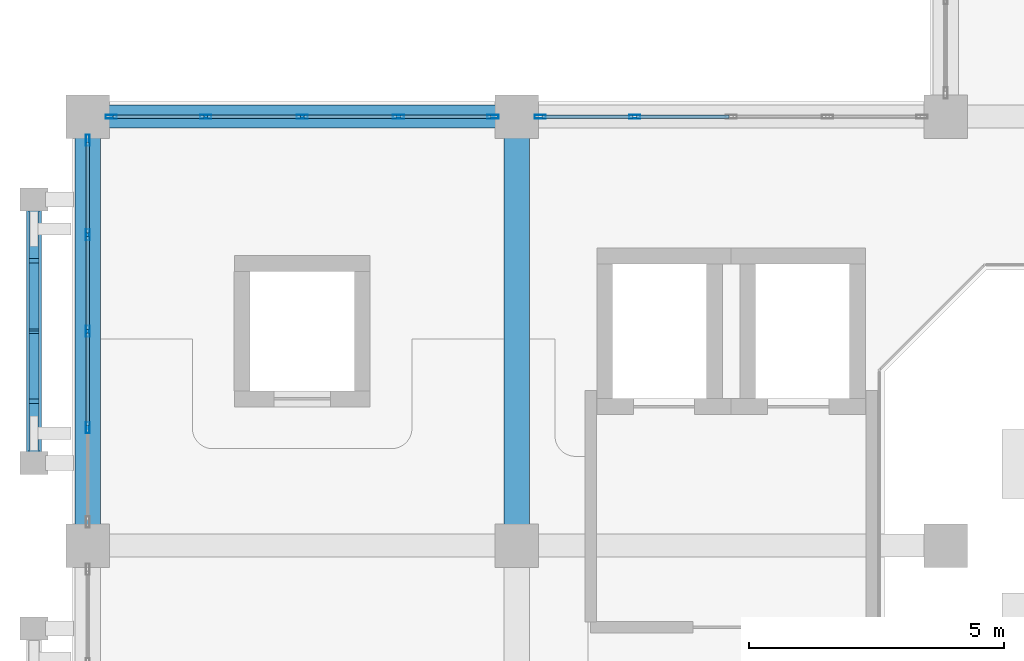
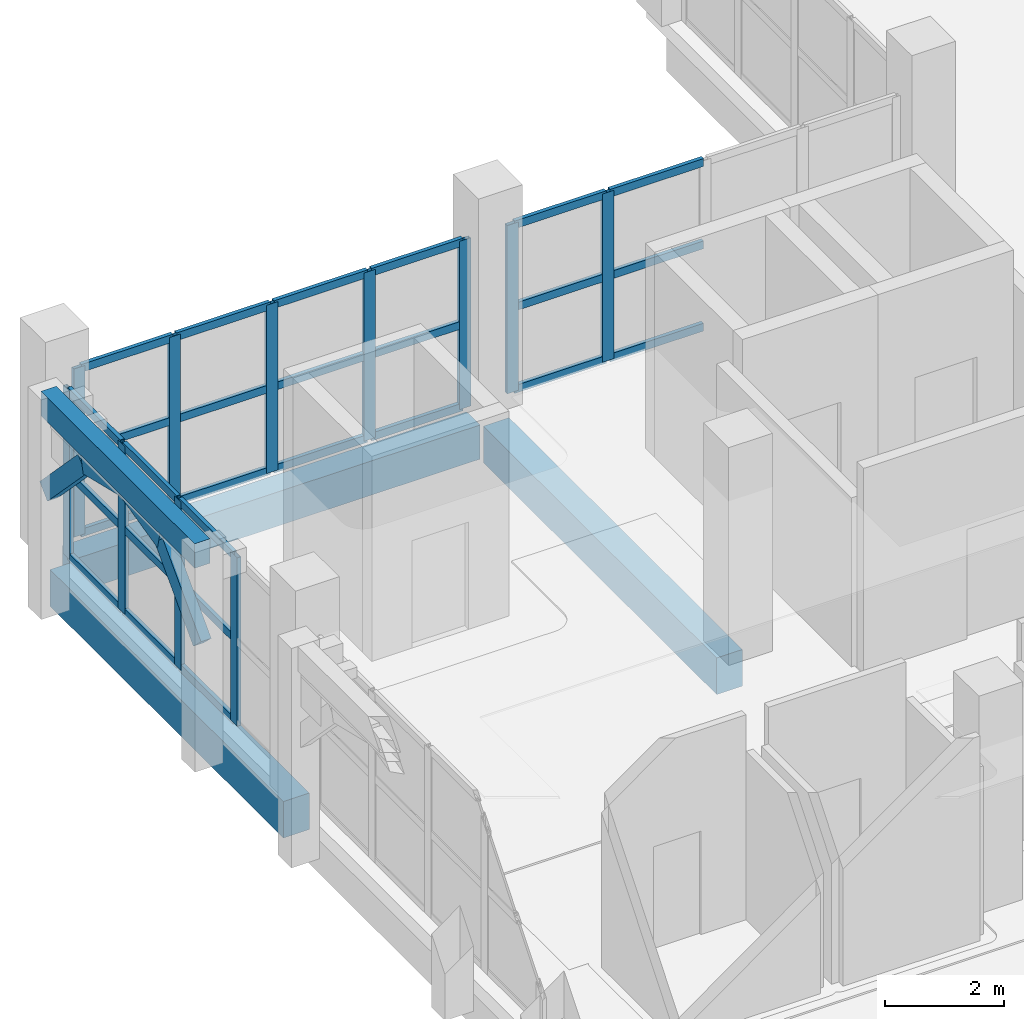
# One storey, part 52 of 129: 42 members, 4 beams, 3 elements without a shape of their own.
"""IFC4 building model written with IfcOpenShell, lengths in metres."""

from ifc_helpers import new_model, si_unit, direction, frame, origin, origin_2d, place, context, subcontext, project, spatial, rectangle, hollow_rectangle, extrude, material, layer, layer_set, material_profile, profile_set, type_object, element, aggregate, save


model = new_model("IFC4")

# Units and contexts
model_context = context("Model", 3, precision=1e-05, world=origin(), true_north=direction((0.0, 1.0)))
body_context = subcontext(model_context, "Body", "Model", "MODEL_VIEW")
ifc_project = project(units=[si_unit("LENGTHUNIT", "METRE"), si_unit("AREAUNIT", "SQUARE_METRE"), si_unit("VOLUMEUNIT", "CUBIC_METRE"), si_unit("PLANEANGLEUNIT", "RADIAN"), si_unit("MASSUNIT", "GRAM", prefix="KILO")], contexts=[model_context])

# Site, building, storey
site_placement = place(None, origin())
site = spatial("IfcSite", under=ifc_project, at=site_placement, CompositionType="ELEMENT")
building_placement = place(site_placement, origin())
building = spatial("IfcBuilding", under=site, at=building_placement, Name="Xazarin Passage Department Store", CompositionType="ELEMENT")
storey_placement = place(building_placement, frame((0.0, 0.0, 9.89990234375)))
storey = spatial("IfcBuildingStorey", under=building, at=storey_placement, Name="L02", CompositionType="ELEMENT", Elevation=9.89990234375)

# Curtain wall, members
ifc_material_1 = material(Name="Bronze anodised aluminium", Category="aluminium")
ifc_layer = layer(ifc_material_1, 0.199951171875)
ifc_layer_set = layer_set([ifc_layer], Name="Bronze anodised aluminium")
curtain_wall_type = type_object("IfcCurtainWallType", Name="ARC-CW-VIT2", PredefinedType="NOTDEFINED", material=ifc_layer_set)
curtain_wall_1_placement = place(storey_placement, origin())
curtain_wall_1 = element("IfcCurtainWall", 1, at=curtain_wall_1_placement, inside=storey, type_object=curtain_wall_type, Name="L02 V1 Curtain Wall 039", PredefinedType="NOTDEFINED")
ifc_material_profile_1 = material_profile(ifc_material_1, hollow_rectangle(XDim=0.074951171875, YDim=0.219970703125, WallThickness=0.0048828125, at=origin_2d()), Name="ALU 75x220")
ifc_profile_set_1 = profile_set([ifc_material_profile_1], Name="Bronze anodised aluminium")
member_type_1 = type_object("IfcMemberType", Name="ARC-CWM-75x220", PredefinedType="MULLION", material=ifc_profile_set_1)
member_1_placement = place(storey_placement, frame((0.46240234375, 101.60009765625, 0.0), z_axis=(0.0, 0.0, 1.0), x_axis=(0.0, 1.0, 0.0)))
member_1 = element("IfcMember", 2, at=member_1_placement, type_object=member_type_1, Name="CW2 mullion 1", PredefinedType="MULLION", context=body_context, shape_type="SweptSolid", body=[
    extrude(hollow_rectangle(XDim=0.074951171875, YDim=0.219970703125, WallThickness=0.0048828125, at=origin_2d()), origin(), (0.0, 0.0, 1.0), 3.4501953125),
])
member_2_placement = place(storey_placement, frame((2.3125, 101.60009765625, 0.0), z_axis=(0.0, 0.0, 1.0), x_axis=(0.0, 1.0, 0.0)))
member_2 = element("IfcMember", 3, at=member_2_placement, type_object=member_type_1, Name="CW2 mullion 2", PredefinedType="MULLION", context=body_context, shape_type="SweptSolid", body=[
    extrude(hollow_rectangle(XDim=0.074951171875, YDim=0.219970703125, WallThickness=0.0048828125, at=origin_2d()), origin(), (0.0, 0.0, 1.0), 3.4501953125),
])
member_3_placement = place(storey_placement, frame((4.199951171875, 101.60009765625, 0.0), z_axis=(0.0, 0.0, 1.0), x_axis=(0.0, 1.0, 0.0)))
member_3 = element("IfcMember", 4, at=member_3_placement, type_object=member_type_1, Name="CW2 mullion 3", PredefinedType="MULLION", context=body_context, shape_type="SweptSolid", body=[
    extrude(hollow_rectangle(XDim=0.074951171875, YDim=0.219970703125, WallThickness=0.0048828125, at=origin_2d()), origin(), (0.0, 0.0, 1.0), 3.4501953125),
])
member_4_placement = place(storey_placement, frame((6.08740234375, 101.60009765625, 0.0), z_axis=(0.0, 0.0, 1.0), x_axis=(0.0, 1.0, 0.0)))
member_4 = element("IfcMember", 5, at=member_4_placement, type_object=member_type_1, Name="CW2 mullion 4", PredefinedType="MULLION", context=body_context, shape_type="SweptSolid", body=[
    extrude(hollow_rectangle(XDim=0.074951171875, YDim=0.219970703125, WallThickness=0.0048828125, at=origin_2d()), origin(), (0.0, 0.0, 1.0), 3.4501953125),
])
member_5_placement = place(storey_placement, frame((7.9375, 101.60009765625, 0.0), z_axis=(0.0, 0.0, 1.0), x_axis=(0.0, 1.0, 0.0)))
member_5 = element("IfcMember", 6, at=member_5_placement, type_object=member_type_1, Name="CW2 mullion 5", PredefinedType="MULLION", context=body_context, shape_type="SweptSolid", body=[
    extrude(hollow_rectangle(XDim=0.074951171875, YDim=0.219970703125, WallThickness=0.0048828125, at=origin_2d()), origin(), (0.0, 0.0, 1.0), 3.4501953125),
])

curtain_wall_2_placement = place(storey_placement, origin())
curtain_wall_2 = element("IfcCurtainWall", 7, at=curtain_wall_2_placement, inside=storey, type_object=curtain_wall_type, Name="L02 V1 Curtain Wall 040", PredefinedType="NOTDEFINED")
member_6_placement = place(storey_placement, frame((8.862548828125, 101.60009765625, 0.0), z_axis=(0.0, 0.0, 1.0), x_axis=(0.0, 1.0, 0.0)))
member_6 = element("IfcMember", 8, at=member_6_placement, type_object=member_type_1, Name="CW2 mullion 1", PredefinedType="MULLION", context=body_context, shape_type="SweptSolid", body=[
    extrude(hollow_rectangle(XDim=0.074951171875, YDim=0.219970703125, WallThickness=0.0048828125, at=origin_2d()), origin(), (0.0, 0.0, 1.0), 3.4501953125),
])
member_7_placement = place(storey_placement, frame((10.71240234375, 101.60009765625, 0.0), z_axis=(0.0, 0.0, 1.0), x_axis=(0.0, 1.0, 0.0)))
member_7 = element("IfcMember", 9, at=member_7_placement, type_object=member_type_1, Name="CW2 mullion 2", PredefinedType="MULLION", context=body_context, shape_type="SweptSolid", body=[
    extrude(hollow_rectangle(XDim=0.074951171875, YDim=0.219970703125, WallThickness=0.0048828125, at=origin_2d()), origin(), (0.0, 0.0, 1.0), 3.4501953125),
])

curtain_wall_3_placement = place(storey_placement, origin())
curtain_wall_3 = element("IfcCurtainWall", 10, at=curtain_wall_3_placement, inside=storey, type_object=curtain_wall_type, Name="L02 V1 Curtain Wall 049", PredefinedType="NOTDEFINED")
member_8_placement = place(storey_placement, frame((0.0, 95.512451171875, 0.0), z_axis=(0.0, 0.0, 1.0), x_axis=(-1.0, 0.0, 0.0)))
member_8 = element("IfcMember", 11, at=member_8_placement, type_object=member_type_1, Name="CW2 mullion 2", PredefinedType="MULLION", context=body_context, shape_type="SweptSolid", body=[
    extrude(hollow_rectangle(XDim=0.074951171875, YDim=0.219970703125, WallThickness=0.0048828125, at=origin_2d()), origin(), (0.0, 0.0, 1.0), 3.4501953125),
])
member_9_placement = place(storey_placement, frame((0.0, 97.39990234375, 0.0), z_axis=(0.0, 0.0, 1.0), x_axis=(-1.0, 0.0, 0.0)))
member_9 = element("IfcMember", 12, at=member_9_placement, type_object=member_type_1, Name="CW2 mullion 3", PredefinedType="MULLION", context=body_context, shape_type="SweptSolid", body=[
    extrude(hollow_rectangle(XDim=0.074951171875, YDim=0.219970703125, WallThickness=0.0048828125, at=origin_2d()), origin(), (0.0, 0.0, 1.0), 3.4501953125),
])
member_10_placement = place(storey_placement, frame((0.0, 99.28759765625, 0.0), z_axis=(0.0, 0.0, 1.0), x_axis=(-1.0, 0.0, 0.0)))
member_10 = element("IfcMember", 13, at=member_10_placement, type_object=member_type_1, Name="CW2 mullion 4", PredefinedType="MULLION", context=body_context, shape_type="SweptSolid", body=[
    extrude(hollow_rectangle(XDim=0.074951171875, YDim=0.219970703125, WallThickness=0.0048828125, at=origin_2d()), origin(), (0.0, 0.0, 1.0), 3.4501953125),
])
member_11_placement = place(storey_placement, frame((0.0, 101.137451171875, 0.0), z_axis=(0.0, 0.0, 1.0), x_axis=(-1.0, 0.0, 0.0)))
member_11 = element("IfcMember", 14, at=member_11_placement, type_object=member_type_1, Name="CW2 mullion 5", PredefinedType="MULLION", context=body_context, shape_type="SweptSolid", body=[
    extrude(hollow_rectangle(XDim=0.074951171875, YDim=0.219970703125, WallThickness=0.0048828125, at=origin_2d()), origin(), (0.0, 0.0, 1.0), 3.4501953125),
])

# Member
ifc_material_profile_2 = material_profile(ifc_material_1, hollow_rectangle(XDim=0.074951171875, YDim=0.159912109375, WallThickness=0.00439453125, at=origin_2d()), Name="ALU 75x160")
ifc_profile_set_2 = profile_set([ifc_material_profile_2], Name="Bronze anodised aluminium")
member_type_2 = type_object("IfcMemberType", Name="ARC-CWT-75x160", PredefinedType="USERDEFINED", material=ifc_profile_set_2)
member_12_placement = place(storey_placement, frame((0.5, 101.60009765625, 0.03759765625), z_axis=(1.0, 0.0, 0.0), x_axis=(0.0, 1.0, 0.0)))
member_12 = element("IfcMember", 15, at=member_12_placement, type_object=member_type_2, Name="CW2 transom 1.1", ObjectType="TRANSOM", PredefinedType="USERDEFINED", context=body_context, shape_type="SweptSolid", body=[
    extrude(hollow_rectangle(XDim=0.074951171875, YDim=0.159912109375, WallThickness=0.00439453125, at=origin_2d()), origin(), (0.0, 0.0, 1.0), 1.77490234375),
])

member_13_placement = place(storey_placement, frame((0.5, 101.60009765625, 1.72509765625), z_axis=(1.0, 0.0, 0.0), x_axis=(0.0, 1.0, 0.0)))
member_13 = element("IfcMember", 16, at=member_13_placement, type_object=member_type_2, Name="CW2 transom 1.2", ObjectType="TRANSOM", PredefinedType="USERDEFINED", context=body_context, shape_type="SweptSolid", body=[
    extrude(hollow_rectangle(XDim=0.074951171875, YDim=0.159912109375, WallThickness=0.00439453125, at=origin_2d()), origin(), (0.0, 0.0, 1.0), 1.77490234375),
])

member_14_placement = place(storey_placement, frame((0.5, 101.60009765625, 3.41259765625), z_axis=(1.0, 0.0, 0.0), x_axis=(0.0, 1.0, 0.0)))
member_14 = element("IfcMember", 17, at=member_14_placement, type_object=member_type_2, Name="CW2 transom 1.3", ObjectType="TRANSOM", PredefinedType="USERDEFINED", context=body_context, shape_type="SweptSolid", body=[
    extrude(hollow_rectangle(XDim=0.074951171875, YDim=0.159912109375, WallThickness=0.00439453125, at=origin_2d()), origin(), (0.0, 0.0, 1.0), 1.77490234375),
])

member_15_placement = place(storey_placement, frame((2.35009765625, 101.60009765625, 0.03759765625), z_axis=(1.0, 0.0, 0.0), x_axis=(0.0, 1.0, 0.0)))
member_15 = element("IfcMember", 18, at=member_15_placement, type_object=member_type_2, Name="CW2 transom 2.1", ObjectType="TRANSOM", PredefinedType="USERDEFINED", context=body_context, shape_type="SweptSolid", body=[
    extrude(hollow_rectangle(XDim=0.074951171875, YDim=0.159912109375, WallThickness=0.00439453125, at=origin_2d()), origin(), (0.0, 0.0, 1.0), 1.8125),
])

member_16_placement = place(storey_placement, frame((2.35009765625, 101.60009765625, 1.72509765625), z_axis=(1.0, 0.0, 0.0), x_axis=(0.0, 1.0, 0.0)))
member_16 = element("IfcMember", 19, at=member_16_placement, type_object=member_type_2, Name="CW2 transom 2.2", ObjectType="TRANSOM", PredefinedType="USERDEFINED", context=body_context, shape_type="SweptSolid", body=[
    extrude(hollow_rectangle(XDim=0.074951171875, YDim=0.159912109375, WallThickness=0.00439453125, at=origin_2d()), origin(), (0.0, 0.0, 1.0), 1.8125),
])

member_17_placement = place(storey_placement, frame((2.35009765625, 101.60009765625, 3.41259765625), z_axis=(1.0, 0.0, 0.0), x_axis=(0.0, 1.0, 0.0)))
member_17 = element("IfcMember", 20, at=member_17_placement, type_object=member_type_2, Name="CW2 transom 2.3", ObjectType="TRANSOM", PredefinedType="USERDEFINED", context=body_context, shape_type="SweptSolid", body=[
    extrude(hollow_rectangle(XDim=0.074951171875, YDim=0.159912109375, WallThickness=0.00439453125, at=origin_2d()), origin(), (0.0, 0.0, 1.0), 1.8125),
])

member_18_placement = place(storey_placement, frame((4.237548828125, 101.60009765625, 0.03759765625), z_axis=(1.0, 0.0, 0.0), x_axis=(0.0, 1.0, 0.0)))
member_18 = element("IfcMember", 21, at=member_18_placement, type_object=member_type_2, Name="CW2 transom 3.1", ObjectType="TRANSOM", PredefinedType="USERDEFINED", context=body_context, shape_type="SweptSolid", body=[
    extrude(hollow_rectangle(XDim=0.074951171875, YDim=0.159912109375, WallThickness=0.00439453125, at=origin_2d()), origin(), (0.0, 0.0, 1.0), 1.8125),
])

member_19_placement = place(storey_placement, frame((4.237548828125, 101.60009765625, 1.72509765625), z_axis=(1.0, 0.0, 0.0), x_axis=(0.0, 1.0, 0.0)))
member_19 = element("IfcMember", 22, at=member_19_placement, type_object=member_type_2, Name="CW2 transom 3.2", ObjectType="TRANSOM", PredefinedType="USERDEFINED", context=body_context, shape_type="SweptSolid", body=[
    extrude(hollow_rectangle(XDim=0.074951171875, YDim=0.159912109375, WallThickness=0.00439453125, at=origin_2d()), origin(), (0.0, 0.0, 1.0), 1.8125),
])

member_20_placement = place(storey_placement, frame((4.237548828125, 101.60009765625, 3.41259765625), z_axis=(1.0, 0.0, 0.0), x_axis=(0.0, 1.0, 0.0)))
member_20 = element("IfcMember", 23, at=member_20_placement, type_object=member_type_2, Name="CW2 transom 3.3", ObjectType="TRANSOM", PredefinedType="USERDEFINED", context=body_context, shape_type="SweptSolid", body=[
    extrude(hollow_rectangle(XDim=0.074951171875, YDim=0.159912109375, WallThickness=0.00439453125, at=origin_2d()), origin(), (0.0, 0.0, 1.0), 1.8125),
])

member_21_placement = place(storey_placement, frame((6.125, 101.60009765625, 0.03759765625), z_axis=(1.0, 0.0, 0.0), x_axis=(0.0, 1.0, 0.0)))
member_21 = element("IfcMember", 24, at=member_21_placement, type_object=member_type_2, Name="CW2 transom 4.1", ObjectType="TRANSOM", PredefinedType="USERDEFINED", context=body_context, shape_type="SweptSolid", body=[
    extrude(hollow_rectangle(XDim=0.074951171875, YDim=0.159912109375, WallThickness=0.00439453125, at=origin_2d()), origin(), (0.0, 0.0, 1.0), 1.77490234375),
])

member_22_placement = place(storey_placement, frame((6.125, 101.60009765625, 1.72509765625), z_axis=(1.0, 0.0, 0.0), x_axis=(0.0, 1.0, 0.0)))
member_22 = element("IfcMember", 25, at=member_22_placement, type_object=member_type_2, Name="CW2 transom 4.2", ObjectType="TRANSOM", PredefinedType="USERDEFINED", context=body_context, shape_type="SweptSolid", body=[
    extrude(hollow_rectangle(XDim=0.074951171875, YDim=0.159912109375, WallThickness=0.00439453125, at=origin_2d()), origin(), (0.0, 0.0, 1.0), 1.77490234375),
])

member_23_placement = place(storey_placement, frame((6.125, 101.60009765625, 3.41259765625), z_axis=(1.0, 0.0, 0.0), x_axis=(0.0, 1.0, 0.0)))
member_23 = element("IfcMember", 26, at=member_23_placement, type_object=member_type_2, Name="CW2 transom 4.3", ObjectType="TRANSOM", PredefinedType="USERDEFINED", context=body_context, shape_type="SweptSolid", body=[
    extrude(hollow_rectangle(XDim=0.074951171875, YDim=0.159912109375, WallThickness=0.00439453125, at=origin_2d()), origin(), (0.0, 0.0, 1.0), 1.77490234375),
])

aggregate(curtain_wall_1, [member_1, member_2, member_3, member_4, member_5, member_12, member_13, member_14, member_15, member_16, member_17, member_18, member_19, member_20, member_21, member_22, member_23])

member_24_placement = place(storey_placement, frame((8.89990234375, 101.60009765625, 0.03759765625), z_axis=(1.0, 0.0, 0.0), x_axis=(0.0, 1.0, 0.0)))
member_24 = element("IfcMember", 27, at=member_24_placement, type_object=member_type_2, Name="CW2 transom 1.1", ObjectType="TRANSOM", PredefinedType="USERDEFINED", context=body_context, shape_type="SweptSolid", body=[
    extrude(hollow_rectangle(XDim=0.074951171875, YDim=0.159912109375, WallThickness=0.00439453125, at=origin_2d()), origin(), (0.0, 0.0, 1.0), 1.775146484375),
])

member_25_placement = place(storey_placement, frame((8.89990234375, 101.60009765625, 1.72509765625), z_axis=(1.0, 0.0, 0.0), x_axis=(0.0, 1.0, 0.0)))
member_25 = element("IfcMember", 28, at=member_25_placement, type_object=member_type_2, Name="CW2 transom 1.2", ObjectType="TRANSOM", PredefinedType="USERDEFINED", context=body_context, shape_type="SweptSolid", body=[
    extrude(hollow_rectangle(XDim=0.074951171875, YDim=0.159912109375, WallThickness=0.00439453125, at=origin_2d()), origin(), (0.0, 0.0, 1.0), 1.775146484375),
])

member_26_placement = place(storey_placement, frame((8.89990234375, 101.60009765625, 3.41259765625), z_axis=(1.0, 0.0, 0.0), x_axis=(0.0, 1.0, 0.0)))
member_26 = element("IfcMember", 29, at=member_26_placement, type_object=member_type_2, Name="CW2 transom 1.3", ObjectType="TRANSOM", PredefinedType="USERDEFINED", context=body_context, shape_type="SweptSolid", body=[
    extrude(hollow_rectangle(XDim=0.074951171875, YDim=0.159912109375, WallThickness=0.00439453125, at=origin_2d()), origin(), (0.0, 0.0, 1.0), 1.775146484375),
])

member_27_placement = place(storey_placement, frame((10.75, 101.60009765625, 0.03759765625), z_axis=(1.0, 0.0, 0.0), x_axis=(0.0, 1.0, 0.0)))
member_27 = element("IfcMember", 30, at=member_27_placement, type_object=member_type_2, Name="CW2 transom 2.1", ObjectType="TRANSOM", PredefinedType="USERDEFINED", context=body_context, shape_type="SweptSolid", body=[
    extrude(hollow_rectangle(XDim=0.074951171875, YDim=0.159912109375, WallThickness=0.00439453125, at=origin_2d()), origin(), (0.0, 0.0, 1.0), 1.8125),
])

member_28_placement = place(storey_placement, frame((10.75, 101.60009765625, 1.72509765625), z_axis=(1.0, 0.0, 0.0), x_axis=(0.0, 1.0, 0.0)))
member_28 = element("IfcMember", 31, at=member_28_placement, type_object=member_type_2, Name="CW2 transom 2.2", ObjectType="TRANSOM", PredefinedType="USERDEFINED", context=body_context, shape_type="SweptSolid", body=[
    extrude(hollow_rectangle(XDim=0.074951171875, YDim=0.159912109375, WallThickness=0.00439453125, at=origin_2d()), origin(), (0.0, 0.0, 1.0), 1.8125),
])

member_29_placement = place(storey_placement, frame((10.75, 101.60009765625, 3.41259765625), z_axis=(1.0, 0.0, 0.0), x_axis=(0.0, 1.0, 0.0)))
member_29 = element("IfcMember", 32, at=member_29_placement, type_object=member_type_2, Name="CW2 transom 2.3", ObjectType="TRANSOM", PredefinedType="USERDEFINED", context=body_context, shape_type="SweptSolid", body=[
    extrude(hollow_rectangle(XDim=0.074951171875, YDim=0.159912109375, WallThickness=0.00439453125, at=origin_2d()), origin(), (0.0, 0.0, 1.0), 1.8125),
])

aggregate(curtain_wall_2, [member_6, member_7, member_24, member_25, member_26, member_27, member_28, member_29])

member_30_placement = place(storey_placement, frame((0.0, 95.550048828125, 0.03759765625), z_axis=(0.0, 1.0, 0.0), x_axis=(-1.0, 0.0, 0.0)))
member_30 = element("IfcMember", 33, at=member_30_placement, type_object=member_type_2, Name="CW2 transom 2.1", ObjectType="TRANSOM", PredefinedType="USERDEFINED", context=body_context, shape_type="SweptSolid", body=[
    extrude(hollow_rectangle(XDim=0.074951171875, YDim=0.159912109375, WallThickness=0.00439453125, at=origin_2d()), origin(), (0.0, 0.0, 1.0), 1.8125),
])

member_31_placement = place(storey_placement, frame((0.0, 95.550048828125, 1.72509765625), z_axis=(0.0, 1.0, 0.0), x_axis=(-1.0, 0.0, 0.0)))
member_31 = element("IfcMember", 34, at=member_31_placement, type_object=member_type_2, Name="CW2 transom 2.2", ObjectType="TRANSOM", PredefinedType="USERDEFINED", context=body_context, shape_type="SweptSolid", body=[
    extrude(hollow_rectangle(XDim=0.074951171875, YDim=0.159912109375, WallThickness=0.00439453125, at=origin_2d()), origin(), (0.0, 0.0, 1.0), 1.8125),
])

member_32_placement = place(storey_placement, frame((0.0, 95.550048828125, 3.41259765625), z_axis=(0.0, 1.0, 0.0), x_axis=(-1.0, 0.0, 0.0)))
member_32 = element("IfcMember", 35, at=member_32_placement, type_object=member_type_2, Name="CW2 transom 2.3", ObjectType="TRANSOM", PredefinedType="USERDEFINED", context=body_context, shape_type="SweptSolid", body=[
    extrude(hollow_rectangle(XDim=0.074951171875, YDim=0.159912109375, WallThickness=0.00439453125, at=origin_2d()), origin(), (0.0, 0.0, 1.0), 1.8125),
])

member_33_placement = place(storey_placement, frame((0.0, 97.4375, 0.03759765625), z_axis=(0.0, 1.0, 0.0), x_axis=(-1.0, 0.0, 0.0)))
member_33 = element("IfcMember", 36, at=member_33_placement, type_object=member_type_2, Name="CW2 transom 3.1", ObjectType="TRANSOM", PredefinedType="USERDEFINED", context=body_context, shape_type="SweptSolid", body=[
    extrude(hollow_rectangle(XDim=0.074951171875, YDim=0.159912109375, WallThickness=0.00439453125, at=origin_2d()), origin(), (0.0, 0.0, 1.0), 1.8125),
])

member_34_placement = place(storey_placement, frame((0.0, 97.4375, 1.72509765625), z_axis=(0.0, 1.0, 0.0), x_axis=(-1.0, 0.0, 0.0)))
member_34 = element("IfcMember", 37, at=member_34_placement, type_object=member_type_2, Name="CW2 transom 3.2", ObjectType="TRANSOM", PredefinedType="USERDEFINED", context=body_context, shape_type="SweptSolid", body=[
    extrude(hollow_rectangle(XDim=0.074951171875, YDim=0.159912109375, WallThickness=0.00439453125, at=origin_2d()), origin(), (0.0, 0.0, 1.0), 1.8125),
])

member_35_placement = place(storey_placement, frame((0.0, 97.4375, 3.41259765625), z_axis=(0.0, 1.0, 0.0), x_axis=(-1.0, 0.0, 0.0)))
member_35 = element("IfcMember", 38, at=member_35_placement, type_object=member_type_2, Name="CW2 transom 3.3", ObjectType="TRANSOM", PredefinedType="USERDEFINED", context=body_context, shape_type="SweptSolid", body=[
    extrude(hollow_rectangle(XDim=0.074951171875, YDim=0.159912109375, WallThickness=0.00439453125, at=origin_2d()), origin(), (0.0, 0.0, 1.0), 1.8125),
])

member_36_placement = place(storey_placement, frame((0.0, 99.324951171875, 0.03759765625), z_axis=(0.0, 1.0, 0.0), x_axis=(-1.0, 0.0, 0.0)))
member_36 = element("IfcMember", 39, at=member_36_placement, type_object=member_type_2, Name="CW2 transom 4.1", ObjectType="TRANSOM", PredefinedType="USERDEFINED", context=body_context, shape_type="SweptSolid", body=[
    extrude(hollow_rectangle(XDim=0.074951171875, YDim=0.159912109375, WallThickness=0.00439453125, at=origin_2d()), origin(), (0.0, 0.0, 1.0), 1.775146484375),
])

member_37_placement = place(storey_placement, frame((0.0, 99.324951171875, 1.72509765625), z_axis=(0.0, 1.0, 0.0), x_axis=(-1.0, 0.0, 0.0)))
member_37 = element("IfcMember", 40, at=member_37_placement, type_object=member_type_2, Name="CW2 transom 4.2", ObjectType="TRANSOM", PredefinedType="USERDEFINED", context=body_context, shape_type="SweptSolid", body=[
    extrude(hollow_rectangle(XDim=0.074951171875, YDim=0.159912109375, WallThickness=0.00439453125, at=origin_2d()), origin(), (0.0, 0.0, 1.0), 1.775146484375),
])

member_38_placement = place(storey_placement, frame((0.0, 99.324951171875, 3.41259765625), z_axis=(0.0, 1.0, 0.0), x_axis=(-1.0, 0.0, 0.0)))
member_38 = element("IfcMember", 41, at=member_38_placement, type_object=member_type_2, Name="CW2 transom 4.3", ObjectType="TRANSOM", PredefinedType="USERDEFINED", context=body_context, shape_type="SweptSolid", body=[
    extrude(hollow_rectangle(XDim=0.074951171875, YDim=0.159912109375, WallThickness=0.00439453125, at=origin_2d()), origin(), (0.0, 0.0, 1.0), 1.775146484375),
])

aggregate(curtain_wall_3, [member_8, member_9, member_10, member_11, member_30, member_31, member_32, member_33, member_34, member_35, member_36, member_37, member_38])

# Beams
ifc_material_2 = material(Name="Concrete C35/45", Category="concrete")
ifc_material_profile_3 = material_profile(ifc_material_2, rectangle(XDim=0.449951171875, YDim=0.699951171875, at=origin_2d()), Name="RC 450x700")
ifc_profile_set_3 = profile_set([ifc_material_profile_3], Name="Concrete C35/45")
beam_type_1 = type_object("IfcBeamType", Name="STR-BM-G450x700", PredefinedType="BEAM", material=ifc_profile_set_3)
beam_1_placement = place(storey_placement, frame((0.280029296875, 101.60009765625, -0.64990234375), z_axis=(1.0, 0.0, 0.0), x_axis=(0.0, 1.0, 0.0)))
element("IfcBeam", 42, at=beam_1_placement, inside=storey, type_object=beam_type_1, Name="L02 Grid Beam P/1-2", PredefinedType="BEAM", context=body_context, shape_type="SweptSolid", body=[
    extrude(rectangle(XDim=0.449951171875, YDim=0.699951171875, at=origin_2d()), origin(), (0.0, 0.0, 1.0), 7.840087890625),
])
ifc_material_profile_4 = material_profile(ifc_material_2, rectangle(XDim=0.300048828125, YDim=0.5, at=origin_2d()), Name="RC 300x500")
ifc_profile_set_4 = profile_set([ifc_material_profile_4], Name="Concrete C35/45")
beam_type_2 = type_object("IfcBeamType", Name="STR-BM-LN300x500", PredefinedType="LINTEL", material=ifc_profile_set_4)
beam_2_placement = place(storey_placement, frame((-1.050048828125, 94.820068359375, 4.25), z_axis=(0.0, 1.0, 0.0), x_axis=(-1.0, 0.0, 0.0)))
element("IfcBeam", 43, at=beam_2_placement, inside=storey, type_object=beam_type_2, Name="L02 V1 Colonnade Spandrel Beam 013", PredefinedType="LINTEL", context=body_context, shape_type="SweptSolid", body=[
    extrude(rectangle(XDim=0.300048828125, YDim=0.5, at=origin_2d()), origin(), (0.0, 0.0, 1.0), 5.159912109375),
])
ifc_material_profile_5 = material_profile(ifc_material_2, rectangle(XDim=0.5, YDim=0.75, at=origin_2d()), Name="RC 500x750")
ifc_profile_set_5 = profile_set([ifc_material_profile_5], Name="Concrete C35/45")
beam_type_3 = type_object("IfcBeamType", Name="STR-BM-SP500x750", PredefinedType="SPANDREL", material=ifc_profile_set_5)
for number, where, z_axis, x_axis, name in (
    (44, (0.0, 93.47998046875, -0.6748046875), (0.0, 1.0, 0.0), (-1.0, 0.0, 0.0), "L02 Grid Beam 1/N-P"),
    (45, (8.39990234375, 93.47998046875, -0.6748046875), (0.0, 1.0, 0.0), (-1.0, 0.0, 0.0), "L02 Grid Beam 2/N-P"),
):
    element("IfcBeam", number, at=place(storey_placement, frame(where, z_axis=z_axis, x_axis=x_axis)), inside=storey, type_object=beam_type_3, Name=name, PredefinedType="SPANDREL", context=body_context, shape_type="SweptSolid", body=[
        extrude(rectangle(XDim=0.5, YDim=0.75, at=origin_2d()), origin(), (0.0, 0.0, 1.0), 7.840087890625),
    ])

# Members
ifc_material_3 = material(Name="Concrete C40/50", Category="concrete")
ifc_material_profile_6 = material_profile(ifc_material_3, rectangle(XDim=0.199951171875, YDim=0.360107421875, at=origin_2d()), Name="RC 200x360")
ifc_profile_set_6 = profile_set([ifc_material_profile_6], Name="Concrete C40/50")
member_type_3 = type_object("IfcMemberType", Name="STR-MEM-ARC360", PredefinedType="CHORD", material=ifc_profile_set_6)
member_39_placement = place(storey_placement, frame((-1.050048828125, 94.820068359375, 2.43017578125), z_axis=(0.0, 0.693460080602, 0.720495049679), x_axis=(-1.0, 0.0, 0.0)))
element("IfcMember", 46, at=member_39_placement, inside=storey, type_object=member_type_3, Name="L02 V1 Pierced Lattice Curved Arch 013.1", PredefinedType="CHORD", context=body_context, shape_type="SweptSolid", body=[
    extrude(rectangle(XDim=0.199951171875, YDim=0.360107421875, at=origin_2d()), origin(), (0.0, 0.0, 1.0), 1.8603515625),
])
member_40_placement = place(storey_placement, frame((-1.050048828125, 96.110107421875, 3.7705078125), z_axis=(0.0, 0.972383960415, 0.233386875224), x_axis=(-1.0, 0.0, 0.0)))
element("IfcMember", 47, at=member_40_placement, inside=storey, type_object=member_type_3, Name="L02 V1 Pierced Lattice Curved Arch 013.2", PredefinedType="CHORD", context=body_context, shape_type="SweptSolid", body=[
    extrude(rectangle(XDim=0.199951171875, YDim=0.360107421875, at=origin_2d()), origin(), (0.0, 0.0, 1.0), 1.326416015625),
])
member_41_placement = place(storey_placement, frame((-1.050048828125, 97.39990234375, 4.080078125), z_axis=(0.0, 0.972393983317, -0.233345111818), x_axis=(-1.0, 0.0, 0.0)))
element("IfcMember", 48, at=member_41_placement, inside=storey, type_object=member_type_3, Name="L02 V1 Pierced Lattice Curved Arch 013.3", PredefinedType="CHORD", context=body_context, shape_type="SweptSolid", body=[
    extrude(rectangle(XDim=0.199951171875, YDim=0.360107421875, at=origin_2d()), origin(), (0.0, 0.0, 1.0), 1.32666015625),
])
member_42_placement = place(storey_placement, frame((-1.050048828125, 98.68994140625, 3.7705078125), z_axis=(0.0, 0.693460080602, -0.720495049679), x_axis=(-1.0, 0.0, 0.0)))
element("IfcMember", 49, at=member_42_placement, inside=storey, type_object=member_type_3, Name="L02 V1 Pierced Lattice Curved Arch 013.4", PredefinedType="CHORD", context=body_context, shape_type="SweptSolid", body=[
    extrude(rectangle(XDim=0.199951171875, YDim=0.360107421875, at=origin_2d()), origin(), (0.0, 0.0, 1.0), 1.8603515625),
])

save(model, "model.ifc")
